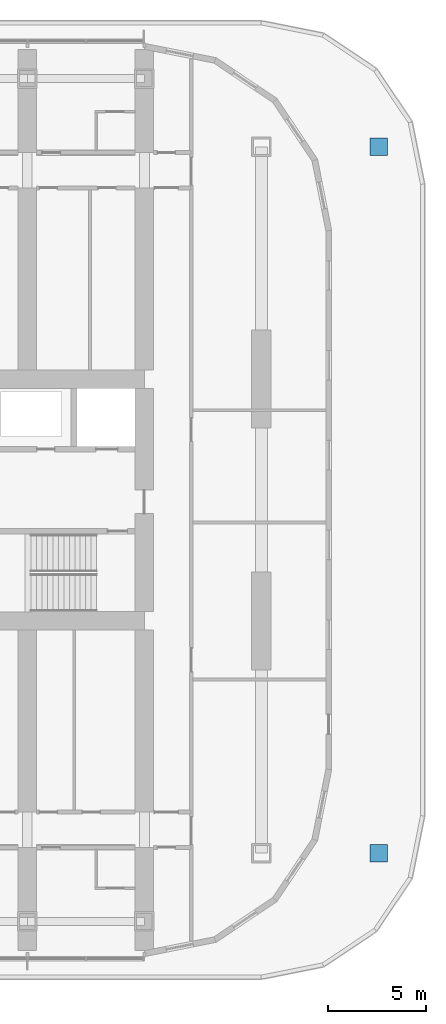
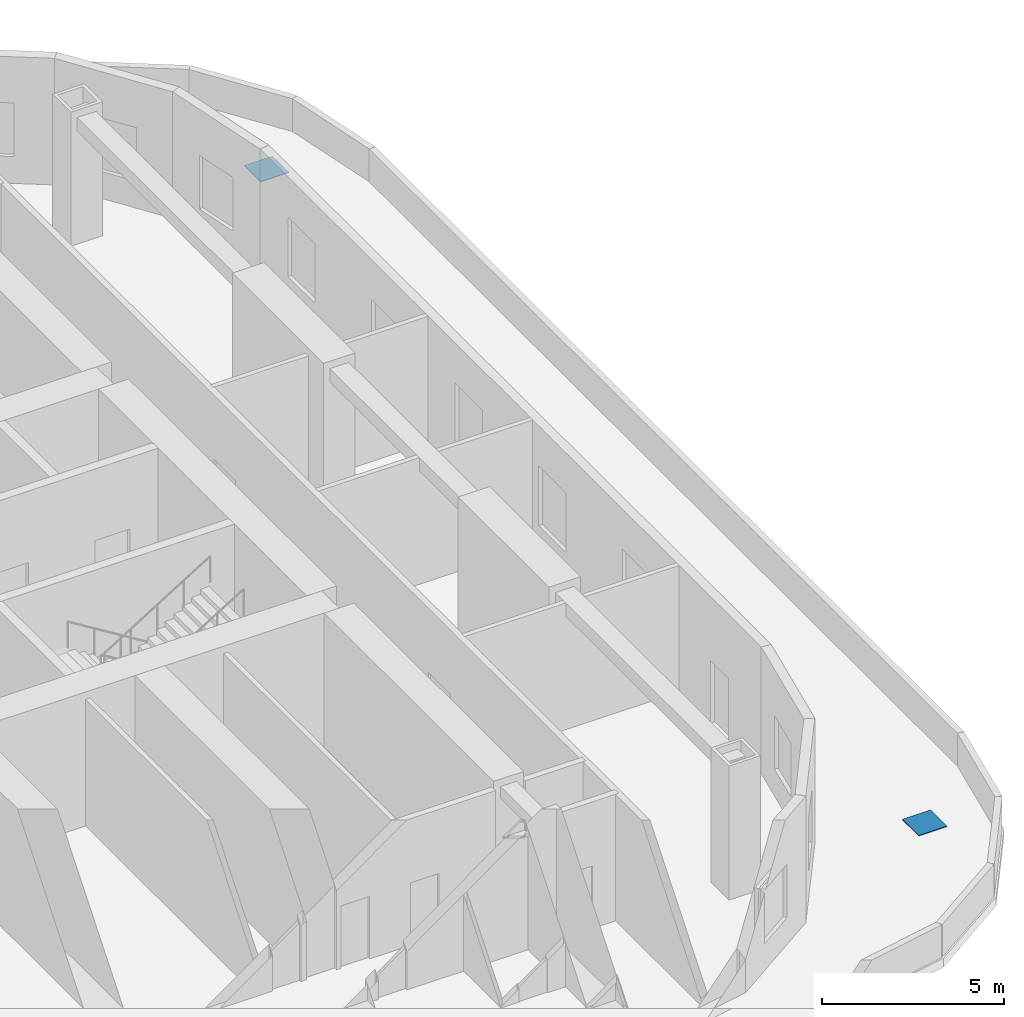
# One storey, part 17 of 31: 2 discrete accessories.
"""IFC4 building model written with IfcOpenShell, lengths in metres."""

from ifc_helpers import new_model, si_unit, direction, frame, origin, origin_2d, place, context, subcontext, project, spatial, rectangle, extrude, material, layer, layer_set, type_object, element, save


model = new_model("IFC4")

# Units and contexts
model_context = context("Model", 3, precision=1e-05, world=origin(), true_north=direction((0.0, 1.0)))
body_context = subcontext(model_context, "Body", "Model", "MODEL_VIEW")
ifc_project = project(units=[si_unit("LENGTHUNIT", "METRE"), si_unit("AREAUNIT", "SQUARE_METRE"), si_unit("VOLUMEUNIT", "CUBIC_METRE"), si_unit("PLANEANGLEUNIT", "RADIAN"), si_unit("MASSUNIT", "GRAM", prefix="KILO")], contexts=[model_context])

# Site, building, storey
site_placement = place(None, origin())
site = spatial("IfcSite", under=ifc_project, at=site_placement, CompositionType="ELEMENT")
building_placement = place(site_placement, origin())
building = spatial("IfcBuilding", under=site, at=building_placement, Name="Orbita Commons", CompositionType="ELEMENT")
storey_placement = place(building_placement, frame((0.0, 0.0, 76.14990234375)))
storey = spatial("IfcBuildingStorey", under=building, at=storey_placement, Name="L18", CompositionType="ELEMENT", Elevation=76.14990234375)

# Discrete accessories
ifc_material = material(Name="Steel ASTM A572 Gr 50 welded plate", Category="steel")
ifc_layer = layer(ifc_material, 0.02001953125)
ifc_layer_set = layer_set([ifc_layer], Name="Steel ASTM A572 Gr 50 welded plate")
discrete_accessory_type = type_object("IfcDiscreteAccessoryType", Name="Column end plate BOX 900x900x90", PredefinedType="NOTDEFINED", material=ifc_layer_set)
for number, where, z_axis, x_axis, name in (
    (1, (78.0, 13.89990234375, 0.0), (0.0, 0.0, 1.0), (1.0, 0.0, 0.0), "Column end plate 14/13.9 L17"),
    (2, (78.0, 50.10009765625, 0.0), (0.0, 0.0, 1.0), (1.0, 0.0, 0.0), "Column end plate 14/50.1 L17"),
):
    element("IfcDiscreteAccessory", number, at=place(storey_placement, frame(where, z_axis=z_axis, x_axis=x_axis)), inside=storey, type_object=discrete_accessory_type, Name=name, PredefinedType="NOTDEFINED", context=body_context, shape_type="SweptSolid", body=[
        extrude(rectangle(XDim=0.89990234375, YDim=0.89990234375, at=origin_2d()), origin(), (0.0, 0.0, 1.0), 0.02001953125),
    ])

save(model, "model.ifc")
